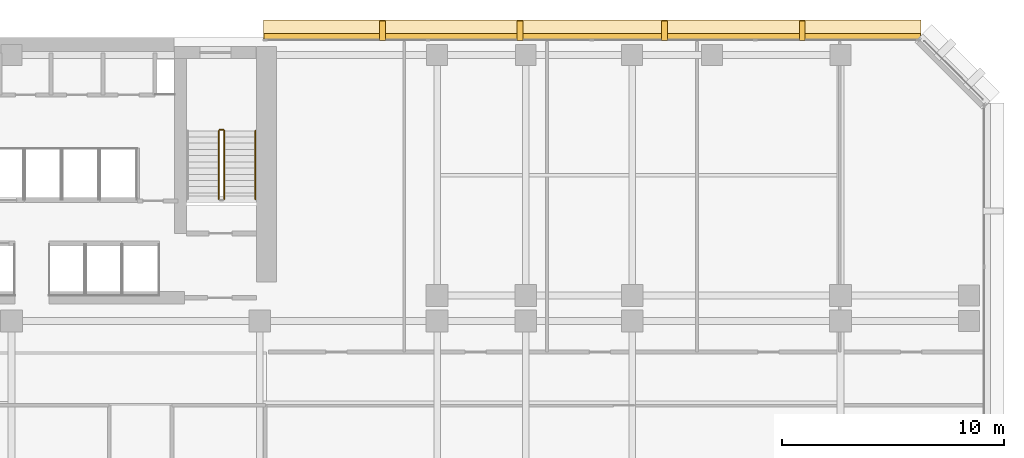
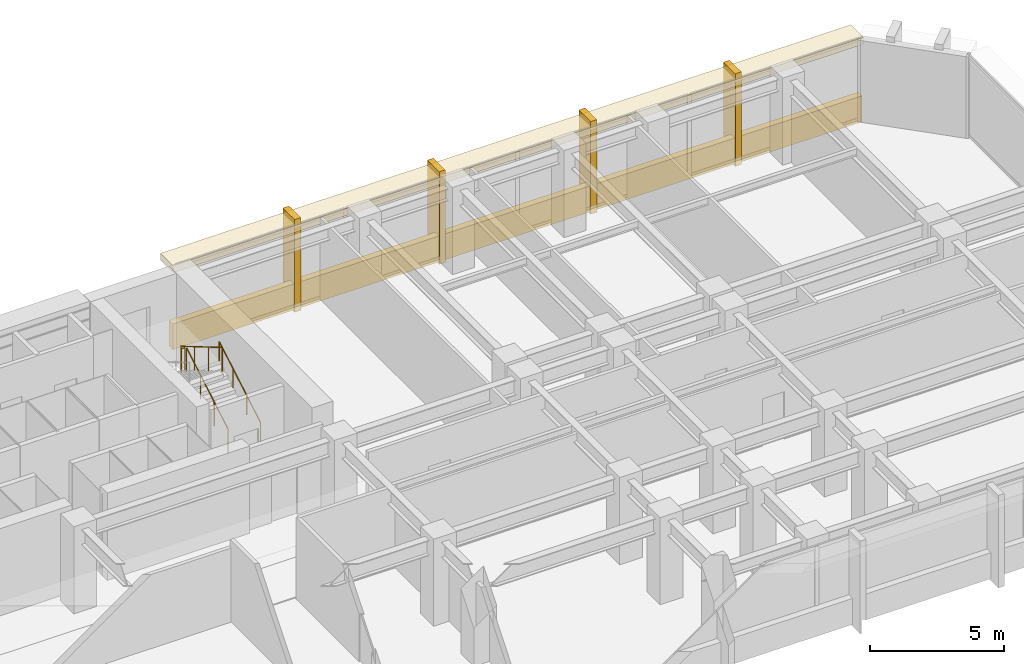
# One storey, part 12 of 13: 6 coverings, 4 railings.
"""IFC4 building model written with IfcOpenShell, lengths in metres."""

from ifc_helpers import new_model, si_unit, direction, frame, origin, origin_2d, place, context, subcontext, project, spatial, rectangle, circle, extrude, material, layer, layer_set, type_object, element, save


model = new_model("IFC4")

# Units and contexts
model_context = context("Model", 3, precision=1e-05, world=origin(), true_north=direction((0.0, 1.0)))
body_context = subcontext(model_context, "Body", "Model", "MODEL_VIEW")
ifc_project = project(units=[si_unit("LENGTHUNIT", "METRE"), si_unit("AREAUNIT", "SQUARE_METRE"), si_unit("VOLUMEUNIT", "CUBIC_METRE"), si_unit("PLANEANGLEUNIT", "RADIAN"), si_unit("MASSUNIT", "GRAM", prefix="KILO")], contexts=[model_context])

# Site, building, storey
site_placement = place(None, origin())
site = spatial("IfcSite", under=ifc_project, at=site_placement, CompositionType="ELEMENT")
building_placement = place(site_placement, origin())
building = spatial("IfcBuilding", under=site, at=building_placement, Name="Kefirva Bronze Tower", CompositionType="ELEMENT")
storey_placement = place(building_placement, frame((0.0, 0.0, 73.919921875)))
storey = spatial("IfcBuildingStorey", under=building, at=storey_placement, Name="L17", CompositionType="ELEMENT", Elevation=73.919921875)

# Covering
ifc_material_1 = material(Name="Bronze anodised aluminium", Category="aluminium")
ifc_layer_1 = layer(ifc_material_1, 0.02001953125, Name="Bronze anodised aluminium")
ifc_layer_set_1 = layer_set([ifc_layer_1], Name="Bronze anodised aluminium")
covering_type_1 = type_object("IfcCoveringType", Name="Anodised Bronze Spandrel Cladding 20mm", PredefinedType="CLADDING", material=ifc_layer_set_1)
covering_1_placement = place(storey_placement, frame((38.202392578125, 46.0400390625, -0.15966796875), z_axis=(0.0, 0.0, 1.0), x_axis=(-1.0, 0.0, 0.0)))
element("IfcCovering", 1, at=covering_1_placement, inside=storey, type_object=covering_type_1, Name="L17 Streamline Horizontal Spandrel Band 8", PredefinedType="CLADDING", context=body_context, shape_type="SweptSolid", body=[
    extrude(rectangle(XDim=29.635009765625, YDim=0.280029296875, at=origin_2d()), origin(), (0.0, 0.0, 1.0), 1.179931640625),
])

# Railings
ifc_material_2 = material(Name="Stainless steel 316", Category="steel")
railing_type_1 = type_object("IfcRailingType", Name="Interior Stair Guardrail 1100mm", PredefinedType="GUARDRAIL", material=ifc_material_2)
railing_1_placement = place(storey_placement, frame((21.60009765625, 38.699951171875, 0.1650390625)))
element("IfcRailing", 2, at=railing_1_placement, inside=storey, type_object=railing_type_1, Name="L17 ST-2 stair guard 1", PredefinedType="GUARDRAIL", context=body_context, shape_type="SweptSolid", body=[
    extrude(circle(Radius=0.02392578125, at=origin_2d()), frame((0.0, 0.0, 1.076171875), z_axis=(0.0, 0.861551262678, 0.507670583921), x_axis=(-1.0, 0.0, 0.0)), (0.0, 0.0, 1.0), 3.574951171875),
    extrude(circle(Radius=0.02099609375, at=origin_2d()), origin(), (0.0, 0.0, 1.0), 1.052001953125),
    extrude(circle(Radius=0.02099609375, at=origin_2d()), frame((0.0, 1.026611328125, 0.60498046875)), (0.0, 0.0, 1.0), 1.052001953125),
    extrude(circle(Radius=0.02099609375, at=origin_2d()), frame((0.0, 2.053466796875, 1.2099609375)), (0.0, 0.0, 1.0), 1.052001953125),
    extrude(circle(Radius=0.02099609375, at=origin_2d()), frame((0.0, 3.080078125, 1.81494140625)), (0.0, 0.0, 1.0), 1.052001953125),
])
railing_2_placement = place(storey_placement, frame((21.550048828125, 41.830078125, 1.97998046875)))
element("IfcRailing", 3, at=railing_2_placement, inside=storey, type_object=railing_type_1, Name="L17 ST-2 stair guard 2", PredefinedType="GUARDRAIL", context=body_context, shape_type="SweptSolid", body=[
    extrude(circle(Radius=0.02392578125, at=origin_2d()), frame((0.0, 0.0, 1.076171875), z_axis=(-1.0, 0.0, 0.0), x_axis=(0.0, -1.0, 0.0)), (0.0, 0.0, 1.0), 0.150146484375),
    extrude(circle(Radius=0.02099609375, at=origin_2d()), origin(), (0.0, 0.0, 1.0), 1.052001953125),
    extrude(circle(Radius=0.02099609375, at=origin_2d()), frame((-0.150146484375, 0.0, 0.0)), (0.0, 0.0, 1.0), 1.052001953125),
])
railing_3_placement = place(storey_placement, frame((21.35009765625, 41.780029296875, 2.14501953125)))
element("IfcRailing", 4, at=railing_3_placement, inside=storey, type_object=railing_type_1, Name="L17 ST-2 stair guard 3", PredefinedType="GUARDRAIL", context=body_context, shape_type="SweptSolid", body=[
    extrude(circle(Radius=0.02392578125, at=origin_2d()), frame((0.0, 0.0, 1.076171875), z_axis=(0.0, -0.861551262678, 0.507670583921), x_axis=(1.0, 0.0, 0.0)), (0.0, 0.0, 1.0), 3.574951171875),
    extrude(circle(Radius=0.02099609375, at=origin_2d()), origin(), (0.0, 0.0, 1.0), 1.052001953125),
    extrude(circle(Radius=0.02099609375, at=origin_2d()), frame((0.0, -1.026611328125, 0.60498046875)), (0.0, 0.0, 1.0), 1.052001953125),
    extrude(circle(Radius=0.02099609375, at=origin_2d()), frame((0.0, -2.053466796875, 1.2099609375)), (0.0, 0.0, 1.0), 1.052001953125),
    extrude(circle(Radius=0.02099609375, at=origin_2d()), frame((0.0, -3.080078125, 1.81494140625)), (0.0, 0.0, 1.0), 1.052001953125),
])
railing_type_2 = type_object("IfcRailingType", Name="Stair Pitch Handrail 900mm", PredefinedType="HANDRAIL", material=ifc_material_2)
railing_4_placement = place(storey_placement, frame((23.0, 38.699951171875, 0.1650390625)))
element("IfcRailing", 5, at=railing_4_placement, inside=storey, type_object=railing_type_2, Name="L17 ST-2 stair handrail 1", PredefinedType="HANDRAIL", context=body_context, shape_type="SweptSolid", body=[
    extrude(circle(Radius=0.02392578125, at=origin_2d()), frame((0.0, 0.0, 0.8759765625), z_axis=(0.0, 0.861551262678, 0.507670583921), x_axis=(-1.0, 0.0, 0.0)), (0.0, 0.0, 1.0), 3.574951171875),
    extrude(circle(Radius=0.02099609375, at=origin_2d()), origin(), (0.0, 0.0, 1.0), 0.851806640625),
    extrude(circle(Radius=0.02099609375, at=origin_2d()), frame((0.0, 1.026611328125, 0.60498046875)), (0.0, 0.0, 1.0), 0.851806640625),
    extrude(circle(Radius=0.02099609375, at=origin_2d()), frame((0.0, 2.053466796875, 1.2099609375)), (0.0, 0.0, 1.0), 0.851806640625),
    extrude(circle(Radius=0.02099609375, at=origin_2d()), frame((0.0, 3.080078125, 1.81494140625)), (0.0, 0.0, 1.0), 0.851806640625),
])

# Coverings
ifc_layer_2 = layer(ifc_material_1, 0.179931640625, Name="Bronze anodised aluminium")
ifc_layer_set_2 = layer_set([ifc_layer_2], Name="Bronze anodised aluminium")
covering_type_2 = type_object("IfcCoveringType", Name="Streamline Bronze Sunshade Eyebrow Cladding 180mm", PredefinedType="CLADDING", material=ifc_layer_set_2)
covering_2_placement = place(storey_placement, frame((38.202392578125, 46.31005859375, 3.39013671875), z_axis=(0.0, 0.0, 1.0), x_axis=(-1.0, 0.0, 0.0)))
element("IfcCovering", 6, at=covering_2_placement, inside=storey, type_object=covering_type_2, Name="L17 Streamline Bronze Sunshade Eyebrow 8", PredefinedType="CLADDING", context=body_context, shape_type="SweptSolid", body=[
    extrude(rectangle(XDim=29.675048828125, YDim=0.93994140625, at=origin_2d()), origin(), (0.0, 0.0, 1.0), 0.320068359375),
])
ifc_layer_3 = layer(ifc_material_1, 0.260009765625, Name="Bronze anodised aluminium")
ifc_layer_set_3 = layer_set([ifc_layer_3], Name="Bronze anodised aluminium")
covering_type_3 = type_object("IfcCoveringType", Name="Unbroken Bronze Buttress Fin Cladding 260mm", PredefinedType="CLADDING", material=ifc_layer_set_3)
for number, where, z_axis, x_axis, name in (
    (7, (47.6728515625, 46.300048828125, -0.25), (0.0, 0.0, 1.0), (-1.0, 0.0, 0.0), "L17 Unbroken Vertical Bronze Rib Fin 19"),
    (8, (41.4580078125, 46.300048828125, -0.25), (0.0, 0.0, 1.0), (-1.0, 0.0, 0.0), "L17 Unbroken Vertical Bronze Rib Fin 20"),
    (9, (34.947021484375, 46.300048828125, -0.25), (0.0, 0.0, 1.0), (-1.0, 0.0, 0.0), "L17 Unbroken Vertical Bronze Rib Fin 21"),
    (10, (28.732177734375, 46.300048828125, -0.25), (0.0, 0.0, 1.0), (-1.0, 0.0, 0.0), "L17 Unbroken Vertical Bronze Rib Fin 22"),
):
    element("IfcCovering", number, at=place(storey_placement, frame(where, z_axis=z_axis, x_axis=x_axis)), inside=storey, type_object=covering_type_3, Name=name, PredefinedType="CLADDING", context=body_context, shape_type="SweptSolid", body=[
        extrude(rectangle(XDim=0.260009765625, YDim=0.8798828125, at=origin_2d()), origin(), (0.0, 0.0, 1.0), 4.2099609375),
    ])

save(model, "model.ifc")
